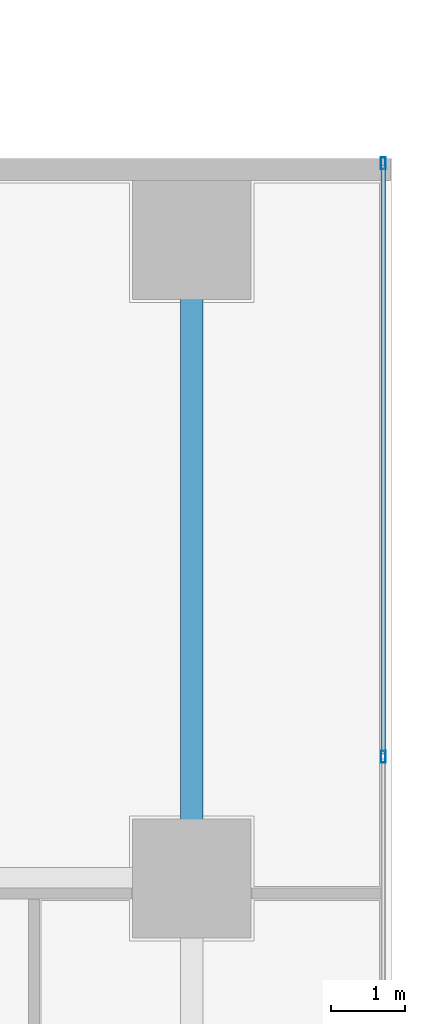
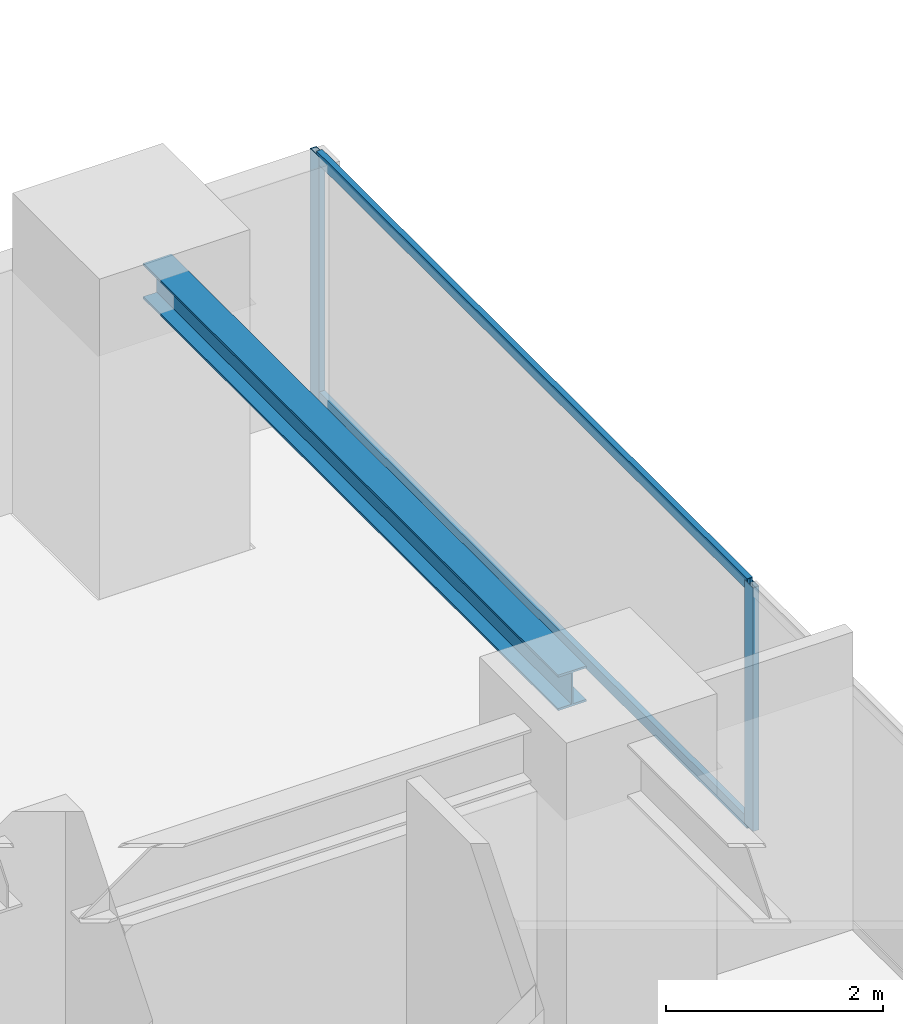
# One storey, part 23 of 34: 4 members, 1 beam, 1 element without a shape of its own.
"""IFC4 building model written with IfcOpenShell, lengths in metres."""

from ifc_helpers import new_model, si_unit, direction, frame, origin, origin_2d, place, context, subcontext, project, spatial, hollow_rectangle, i_section, extrude, source, transform, mapped, material, layer, layer_set, material_profile, profile_set, type_object, element, aggregate, save


model = new_model("IFC4")

# Units and contexts
model_context = context("Model", 3, precision=1e-05, world=origin(), true_north=direction((0.0, 1.0)))
body_context = subcontext(model_context, "Body", "Model", "MODEL_VIEW")
ifc_project = project(units=[si_unit("LENGTHUNIT", "METRE"), si_unit("AREAUNIT", "SQUARE_METRE"), si_unit("VOLUMEUNIT", "CUBIC_METRE"), si_unit("PLANEANGLEUNIT", "RADIAN"), si_unit("MASSUNIT", "GRAM", prefix="KILO")], contexts=[model_context])

# Site, building, storey
site_placement = place(None, origin())
site = spatial("IfcSite", under=ifc_project, at=site_placement, CompositionType="ELEMENT")
building_placement = place(site_placement, origin())
building = spatial("IfcBuilding", under=site, at=building_placement, Name="Sumidabori Civic Tower", CompositionType="ELEMENT")
storey_placement = place(building_placement, frame((0.0, 0.0, 99.199951171875)))
storey = spatial("IfcBuildingStorey", under=building, at=storey_placement, Name="L25", CompositionType="ELEMENT", Elevation=99.199951171875)

# Beam
ifc_material_1 = material(Name="Steel SN490", Category="steel")
ifc_material_profile_1 = material_profile(ifc_material_1, i_section(OverallWidth=0.300048828125, OverallDepth=0.39990234375, WebThickness=0.013427734375, FlangeThickness=0.02392578125, at=origin_2d()), Name="HE 400 B")
ifc_profile_set_1 = profile_set([ifc_material_profile_1], Name="Steel SN490")
beam_type = type_object("IfcBeamType", Name="BM-GIRD-400", PredefinedType="BEAM", material=ifc_profile_set_1)
shared_shape_1 = source(origin(), body_context, "Body", "SweptSolid", [
    extrude(i_section(OverallWidth=0.300048828125, OverallDepth=0.39990234375, WebThickness=0.013427734375, FlangeThickness=0.02392578125, at=origin_2d()), origin(), (0.0, 0.0, 1.0), 7.64013671875),
])
beam_placement = place(storey_placement, frame((22.800048828125, 10.679931640625, 3.16015625), z_axis=(0.0, 1.0, 0.0), x_axis=(-1.0, 0.0, 0.0)))
element("IfcBeam", 1, at=beam_placement, inside=storey, type_object=beam_type, Name="Primary Girder L25 GY-42", PredefinedType="BEAM", context=body_context, shape_type="MappedRepresentation", body=[
    mapped(shared_shape_1, transform((0.0, 0.0, 0.0), x_axis=(1.0, 0.0, 0.0), y_axis=(0.0, 1.0, 0.0), z_axis=(0.0, 0.0, 1.0), scale=1.0)),
])

# Curtain wall, members
ifc_material_2 = material(Name="Anodised Bronze Aluminium AW-6063-T6", Category="aluminium")
ifc_layer = layer(ifc_material_2, 0.179931640625, Name="Anodised Bronze Aluminium AW-6063-T6")
ifc_layer_set = layer_set([ifc_layer], Name="Anodised Bronze Aluminium AW-6063-T6")
curtain_wall_type = type_object("IfcCurtainWallType", Name="CW-SYS-3", PredefinedType="NOTDEFINED", material=ifc_layer_set)
curtain_wall_placement = place(storey_placement, origin())
curtain_wall = element("IfcCurtainWall", 2, at=curtain_wall_placement, inside=storey, type_object=curtain_wall_type, Name="Curtain Wall CW:L25:R04", PredefinedType="NOTDEFINED")
ifc_material_profile_2 = material_profile(ifc_material_2, hollow_rectangle(XDim=0.06494140625, YDim=0.159912109375, WallThickness=0.0048828125, at=origin_2d()), Name="ALU MULLION 160x65")
ifc_profile_set_2 = profile_set([ifc_material_profile_2], Name="Anodised Bronze Aluminium AW-6063-T6")
member_type_1 = type_object("IfcMemberType", Name="CW-MUL-160", PredefinedType="MULLION", material=ifc_profile_set_2)
shared_shape_2 = source(origin(), body_context, "Body", "SweptSolid", [
    extrude(hollow_rectangle(XDim=0.06494140625, YDim=0.159912109375, WallThickness=0.0048828125, at=origin_2d()), origin(), (0.0, 0.0, 1.0), 2.739990234375),
])
member_1_placement = place(storey_placement, frame((25.3798828125, 11.842041015625, 0.0), z_axis=(0.0, 0.0, 1.0), x_axis=(-1.0, 0.0, 0.0)))
member_1 = element("IfcMember", 3, at=member_1_placement, type_object=member_type_1, Name="CW-3 mullion 5", PredefinedType="MULLION", context=body_context, shape_type="MappedRepresentation", body=[
    mapped(shared_shape_2, transform((0.0, 0.0, 0.0), x_axis=(1.0, 0.0, 0.0), y_axis=(0.0, 1.0, 0.0), z_axis=(0.0, 0.0, 1.0), scale=1.0)),
])
member_2_placement = place(storey_placement, frame((25.3798828125, 19.83740234375, 0.0), z_axis=(0.0, 0.0, 1.0), x_axis=(-1.0, 0.0, 0.0)))
member_2 = element("IfcMember", 4, at=member_2_placement, type_object=member_type_1, Name="CW-3 mullion 6", PredefinedType="MULLION", context=body_context, shape_type="MappedRepresentation", body=[
    mapped(shared_shape_2, transform((0.0, 0.0, 0.0), x_axis=(1.0, 0.0, 0.0), y_axis=(0.0, 1.0, 0.0), z_axis=(0.0, 0.0, 1.0), scale=1.0)),
])
ifc_material_profile_3 = material_profile(ifc_material_2, hollow_rectangle(XDim=0.06005859375, YDim=0.1298828125, WallThickness=0.0048828125, at=origin_2d()), Name="ALU TRANSOM 130x60")
ifc_profile_set_3 = profile_set([ifc_material_profile_3], Name="Anodised Bronze Aluminium AW-6063-T6")
member_type_2 = type_object("IfcMemberType", Name="CW-TRN-130", PredefinedType="USERDEFINED", material=ifc_profile_set_3)
shared_shape_3 = source(origin(), body_context, "Body", "SweptSolid", [
    extrude(hollow_rectangle(XDim=0.06005859375, YDim=0.1298828125, WallThickness=0.0048828125, at=origin_2d()), origin(), (0.0, 0.0, 1.0), 7.930419921875),
])
member_3_placement = place(storey_placement, frame((25.3798828125, 11.87451171875, 0.030029296875), z_axis=(0.0, 1.0, 0.0), x_axis=(-1.0, 0.0, 0.0)))
member_3 = element("IfcMember", 5, at=member_3_placement, type_object=member_type_2, Name="CW-3 transom 5.1", ObjectType="TRANSOM", PredefinedType="USERDEFINED", context=body_context, shape_type="MappedRepresentation", body=[
    mapped(shared_shape_3, transform((0.0, 0.0, 0.0), x_axis=(1.0, 0.0, 0.0), y_axis=(0.0, 1.0, 0.0), z_axis=(0.0, 0.0, 1.0), scale=1.0)),
])
member_4_placement = place(storey_placement, frame((25.3798828125, 11.87451171875, 2.7099609375), z_axis=(0.0, 1.0, 0.0), x_axis=(-1.0, 0.0, 0.0)))
member_4 = element("IfcMember", 6, at=member_4_placement, type_object=member_type_2, Name="CW-3 transom 5.2", ObjectType="TRANSOM", PredefinedType="USERDEFINED", context=body_context, shape_type="MappedRepresentation", body=[
    mapped(shared_shape_3, transform((0.0, 0.0, 0.0), x_axis=(1.0, 0.0, 0.0), y_axis=(0.0, 1.0, 0.0), z_axis=(0.0, 0.0, 1.0), scale=1.0)),
])
aggregate(curtain_wall, [member_1, member_2, member_3, member_4])

save(model, "model.ifc")
